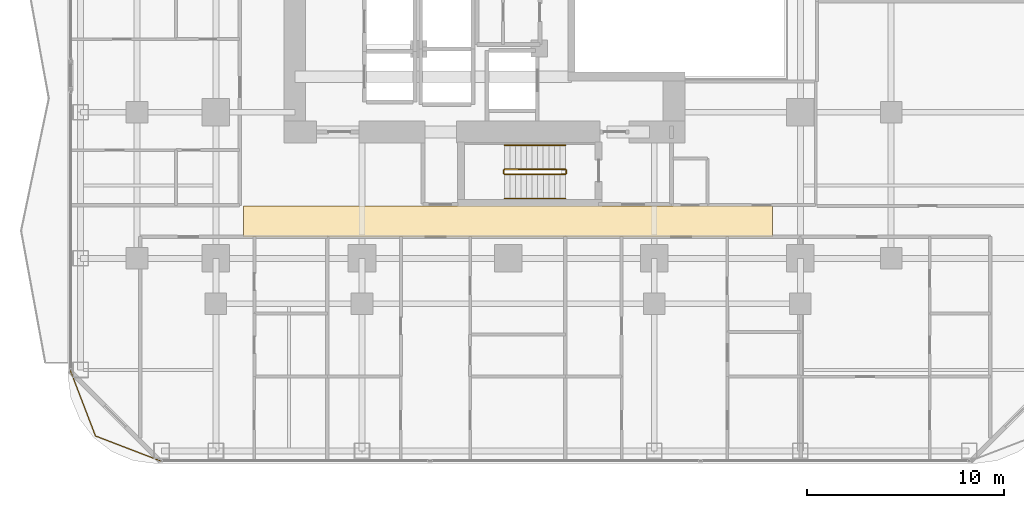
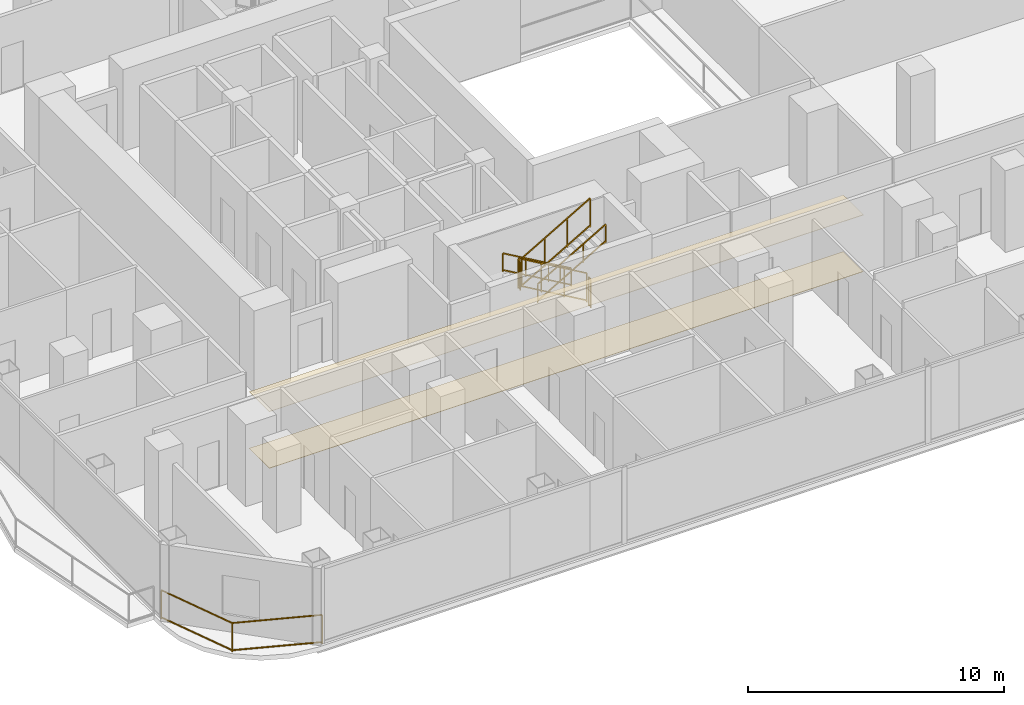
# One storey, part 26 of 28: 7 railings, 2 coverings.
"""IFC4 building model written with IfcOpenShell, lengths in metres."""

from ifc_helpers import new_model, si_unit, direction, frame, origin, origin_2d, place, context, subcontext, project, spatial, polyline, rectangle, outline, extrude, material, layer, layer_set, type_object, element, save


model = new_model("IFC4")

# Units and contexts
model_context = context("Model", 3, precision=1e-05, world=origin(), true_north=direction((0.0, 1.0)))
body_context = subcontext(model_context, "Body", "Model", "MODEL_VIEW")
ifc_project = project(units=[si_unit("LENGTHUNIT", "METRE"), si_unit("AREAUNIT", "SQUARE_METRE"), si_unit("VOLUMEUNIT", "CUBIC_METRE"), si_unit("PLANEANGLEUNIT", "RADIAN"), si_unit("MASSUNIT", "GRAM", prefix="KILO")], contexts=[model_context])

# Site, building, storey
site_placement = place(None, origin())
site = spatial("IfcSite", under=ifc_project, at=site_placement, CompositionType="ELEMENT")
building_placement = place(site_placement, origin())
building = spatial("IfcBuilding", under=site, at=building_placement, Name="Khorvyn Point Tower", CompositionType="ELEMENT")
storey_placement = place(building_placement, frame((0.0, 0.0, 34.5)))
storey = spatial("IfcBuildingStorey", under=building, at=storey_placement, Name="L09", CompositionType="ELEMENT", Elevation=34.5)

# Railing
ifc_material_1 = material(Name="Anodised aluminium 6063-T6 and laminated safety glass", Category="aluminium")
railing_type_1 = type_object("IfcRailingType", Name="Laminated Glass and Aluminium Balcony Guardrail 1400", PredefinedType="BALUSTRADE", material=ifc_material_1)
railing_1_placement = place(storey_placement, frame((-22.174072265625, -20.470703125, 0.0)))
element("IfcRailing", 1, at=railing_1_placement, inside=storey, type_object=railing_type_1, Name="L09 Rounded Corner Edge Guardrail SW", PredefinedType="BALUSTRADE", context=body_context, shape_type="SweptSolid", body=[
    extrude(rectangle(XDim=0.048095703125, YDim=0.048095703125, at=origin_2d()), frame((0.0, 0.0, 1.3759765625), z_axis=(0.358359142172, -0.933583807283, 0.0), x_axis=(0.933583807283, 0.358359142172, 0.0)), (0.0, 0.0, 1.0), 3.56298828125),
    extrude(rectangle(XDim=0.048095703125, YDim=0.048095703125, at=origin_2d()), frame((0.0, 0.0, 0.080078125), z_axis=(0.358359142172, -0.933583807283, 0.0), x_axis=(0.933583807283, 0.358359142172, 0.0)), (0.0, 0.0, 1.0), 3.56298828125),
    extrude(rectangle(XDim=0.048095703125, YDim=0.048095703125, at=origin_2d()), frame((1.27685546875, -3.326416015625, 1.3759765625), z_axis=(0.933583807283, -0.358359142172, 0.0), x_axis=(0.358359142172, 0.933583807283, 0.0)), (0.0, 0.0, 1.0), 3.56298828125),
    extrude(rectangle(XDim=0.048095703125, YDim=0.048095703125, at=origin_2d()), frame((1.27685546875, -3.326416015625, 0.080078125), z_axis=(0.933583807283, -0.358359142172, 0.0), x_axis=(0.358359142172, 0.933583807283, 0.0)), (0.0, 0.0, 1.0), 3.56298828125),
    extrude(rectangle(XDim=0.0419921875, YDim=0.0419921875, at=origin_2d()), origin(), (0.0, 0.0, 1.0), 1.351806640625),
    extrude(rectangle(XDim=0.0419921875, YDim=0.0419921875, at=origin_2d()), frame((1.27685546875, -3.326416015625, 0.0)), (0.0, 0.0, 1.0), 1.351806640625),
    extrude(rectangle(XDim=0.0419921875, YDim=0.0419921875, at=origin_2d()), frame((4.603271484375, -4.603271484375, 0.0)), (0.0, 0.0, 1.0), 1.351806640625),
])

# Coverings
ifc_material_2 = material(Name="Mineral-fibre acoustic ceiling board", Category="gypsum")
ifc_layer_1 = layer(ifc_material_2, 0.02001953125)
ifc_layer_set_1 = layer_set([ifc_layer_1], Name="Perforated Mineral-Fibre Acoustic Suspended Ceiling 20")
covering_type_1 = type_object("IfcCoveringType", Name="Perforated Mineral-Fibre Acoustic Suspended Ceiling 20", PredefinedType="CEILING", material=ifc_layer_set_1)
covering_1_placement = place(storey_placement, frame((0.0, 0.0, 2.699951171875)))
element("IfcCovering", 2, at=covering_1_placement, inside=storey, type_object=covering_type_1, Name="L09 South Corridor Acoustic Ceiling", PredefinedType="CEILING", context=body_context, shape_type="SweptSolid", body=[
    extrude(outline(polyline([(-13.39990234375, -13.7099609375), (13.39990234375, -13.7099609375), (13.39990234375, -12.139892578125), (-13.39990234375, -12.139892578125), (-13.39990234375, -13.7099609375)])), origin(), (0.0, 0.0, 1.0), 0.02001953125),
])
ifc_material_3 = material(Name="Vitrified porcelain terrazzo tile", Category="ceramic")
ifc_layer_2 = layer(ifc_material_3, 0.01806640625)
ifc_layer_set_2 = layer_set([ifc_layer_2], Name="Porcelain Terrazzo Corridor Floor Finish Tile 18")
covering_type_2 = type_object("IfcCoveringType", Name="Porcelain Terrazzo Corridor Floor Finish Tile 18", PredefinedType="FLOORING", material=ifc_layer_set_2)
covering_2_placement = place(storey_placement, origin())
element("IfcCovering", 3, at=covering_2_placement, inside=storey, type_object=covering_type_2, Name="L09 South Corridor Terrazzo Flooring", PredefinedType="FLOORING", context=body_context, shape_type="SweptSolid", body=[
    extrude(outline(polyline([(-13.39990234375, -13.7099609375), (13.39990234375, -13.7099609375), (13.39990234375, -12.139892578125), (-13.39990234375, -12.139892578125), (-13.39990234375, -13.7099609375)])), origin(), (0.0, 0.0, 1.0), 0.01806640625),
])

# Railings
ifc_material_4 = material(Name="Stainless steel 1.4301", Category="steel")
railing_type_2 = type_object("IfcRailingType", Name="Stainless Steel 304 Stair Pitch Handrail 900", PredefinedType="HANDRAIL", material=ifc_material_4)
railing_2_placement = place(storey_placement, frame((2.89990234375, -9.070068359375, 0.16259765625)))
element("IfcRailing", 4, at=railing_2_placement, inside=storey, type_object=railing_type_2, Name="L09 ST-01 stair handrail 1", PredefinedType="HANDRAIL", context=body_context, shape_type="SweptSolid", body=[
    extrude(rectangle(XDim=0.048095703125, YDim=0.048095703125, at=origin_2d()), frame((0.0, 0.0, 0.8759765625), z_axis=(-0.864903211148, 0.0, 0.501938676878), x_axis=(0.0, -1.0, 0.0)), (0.0, 0.0, 1.0), 3.560791015625),
    extrude(rectangle(XDim=0.048095703125, YDim=0.048095703125, at=origin_2d()), frame((0.0, 0.0, 0.080078125), z_axis=(-0.864903211148, 0.0, 0.501938676878), x_axis=(0.0, -1.0, 0.0)), (0.0, 0.0, 1.0), 3.560791015625),
    extrude(rectangle(XDim=0.0419921875, YDim=0.0419921875, at=origin_2d()), origin(), (0.0, 0.0, 1.0), 0.851806640625),
    extrude(rectangle(XDim=0.0419921875, YDim=0.0419921875, at=origin_2d()), frame((-1.026611328125, 0.0, 0.595703125)), (0.0, 0.0, 1.0), 0.851806640625),
    extrude(rectangle(XDim=0.0419921875, YDim=0.0419921875, at=origin_2d()), frame((-2.05322265625, 0.0, 1.191650390625)), (0.0, 0.0, 1.0), 0.851806640625),
    extrude(rectangle(XDim=0.0419921875, YDim=0.0419921875, at=origin_2d()), frame((-3.079833984375, 0.0, 1.787353515625)), (0.0, 0.0, 1.0), 0.851806640625),
])
railing_3_placement = place(storey_placement, frame((-0.179931640625, -11.77001953125, 2.112548828125)))
element("IfcRailing", 5, at=railing_3_placement, inside=storey, type_object=railing_type_2, Name="L09 ST-01 stair handrail 2", PredefinedType="HANDRAIL", context=body_context, shape_type="SweptSolid", body=[
    extrude(rectangle(XDim=0.048095703125, YDim=0.048095703125, at=origin_2d()), frame((0.0, 0.0, 0.8759765625), z_axis=(0.864903211148, 0.0, 0.501938676878), x_axis=(0.0, 1.0, 0.0)), (0.0, 0.0, 1.0), 3.560791015625),
    extrude(rectangle(XDim=0.048095703125, YDim=0.048095703125, at=origin_2d()), frame((0.0, 0.0, 0.080078125), z_axis=(0.864903211148, 0.0, 0.501938676878), x_axis=(0.0, 1.0, 0.0)), (0.0, 0.0, 1.0), 3.560791015625),
    extrude(rectangle(XDim=0.0419921875, YDim=0.0419921875, at=origin_2d()), origin(), (0.0, 0.0, 1.0), 0.851806640625),
    extrude(rectangle(XDim=0.0419921875, YDim=0.0419921875, at=origin_2d()), frame((1.026611328125, 0.0, 0.595703125)), (0.0, 0.0, 1.0), 0.851806640625),
    extrude(rectangle(XDim=0.0419921875, YDim=0.0419921875, at=origin_2d()), frame((2.05322265625, 0.0, 1.191650390625)), (0.0, 0.0, 1.0), 0.851806640625),
    extrude(rectangle(XDim=0.0419921875, YDim=0.0419921875, at=origin_2d()), frame((3.079833984375, 0.0, 1.787353515625)), (0.0, 0.0, 1.0), 0.851806640625),
])
railing_type_3 = type_object("IfcRailingType", Name="Stainless Steel 304 Stair Well Guardrail 1400", PredefinedType="GUARDRAIL", material=ifc_material_4)
railing_4_placement = place(storey_placement, frame((2.89990234375, -10.2900390625, 0.16259765625)))
element("IfcRailing", 6, at=railing_4_placement, inside=storey, type_object=railing_type_3, Name="L09 ST-01 stair guard 1", PredefinedType="GUARDRAIL", context=body_context, shape_type="SweptSolid", body=[
    extrude(rectangle(XDim=0.048095703125, YDim=0.048095703125, at=origin_2d()), frame((0.0, 0.0, 1.3759765625), z_axis=(-0.864903211148, 0.0, 0.501938676878), x_axis=(0.0, -1.0, 0.0)), (0.0, 0.0, 1.0), 3.560791015625),
    extrude(rectangle(XDim=0.048095703125, YDim=0.048095703125, at=origin_2d()), frame((0.0, 0.0, 0.080078125), z_axis=(-0.864903211148, 0.0, 0.501938676878), x_axis=(0.0, -1.0, 0.0)), (0.0, 0.0, 1.0), 3.560791015625),
    extrude(rectangle(XDim=0.0419921875, YDim=0.0419921875, at=origin_2d()), origin(), (0.0, 0.0, 1.0), 1.351806640625),
    extrude(rectangle(XDim=0.0419921875, YDim=0.0419921875, at=origin_2d()), frame((-1.026611328125, 0.0, 0.595703125)), (0.0, 0.0, 1.0), 1.351806640625),
    extrude(rectangle(XDim=0.0419921875, YDim=0.0419921875, at=origin_2d()), frame((-2.05322265625, 0.0, 1.191650390625)), (0.0, 0.0, 1.0), 1.351806640625),
    extrude(rectangle(XDim=0.0419921875, YDim=0.0419921875, at=origin_2d()), frame((-3.079833984375, 0.0, 1.787353515625)), (0.0, 0.0, 1.0), 1.351806640625),
])
railing_5_placement = place(storey_placement, frame((-0.22998046875, -10.340087890625, 1.949951171875)))
element("IfcRailing", 7, at=railing_5_placement, inside=storey, type_object=railing_type_3, Name="L09 ST-01 stair guard 2", PredefinedType="GUARDRAIL", context=body_context, shape_type="SweptSolid", body=[
    extrude(rectangle(XDim=0.048095703125, YDim=0.048095703125, at=origin_2d()), frame((0.0, 0.0, 1.3759765625), z_axis=(0.0, -1.0, 0.0), x_axis=(1.0, 0.0, 0.0)), (0.0, 0.0, 1.0), 0.159912109375),
    extrude(rectangle(XDim=0.048095703125, YDim=0.048095703125, at=origin_2d()), frame((0.0, 0.0, 0.080078125), z_axis=(0.0, -1.0, 0.0), x_axis=(1.0, 0.0, 0.0)), (0.0, 0.0, 1.0), 0.159912109375),
    extrude(rectangle(XDim=0.0419921875, YDim=0.0419921875, at=origin_2d()), origin(), (0.0, 0.0, 1.0), 1.351806640625),
    extrude(rectangle(XDim=0.0419921875, YDim=0.0419921875, at=origin_2d()), frame((0.0, -0.159912109375, 0.0)), (0.0, 0.0, 1.0), 1.351806640625),
])
railing_6_placement = place(storey_placement, frame((-0.179931640625, -10.550048828125, 2.112548828125)))
element("IfcRailing", 8, at=railing_6_placement, inside=storey, type_object=railing_type_3, Name="L09 ST-01 stair guard 3", PredefinedType="GUARDRAIL", context=body_context, shape_type="SweptSolid", body=[
    extrude(rectangle(XDim=0.048095703125, YDim=0.048095703125, at=origin_2d()), frame((0.0, 0.0, 1.3759765625), z_axis=(0.864903211148, 0.0, 0.501938676878), x_axis=(0.0, 1.0, 0.0)), (0.0, 0.0, 1.0), 3.560791015625),
    extrude(rectangle(XDim=0.048095703125, YDim=0.048095703125, at=origin_2d()), frame((0.0, 0.0, 0.080078125), z_axis=(0.864903211148, 0.0, 0.501938676878), x_axis=(0.0, 1.0, 0.0)), (0.0, 0.0, 1.0), 3.560791015625),
    extrude(rectangle(XDim=0.0419921875, YDim=0.0419921875, at=origin_2d()), origin(), (0.0, 0.0, 1.0), 1.351806640625),
    extrude(rectangle(XDim=0.0419921875, YDim=0.0419921875, at=origin_2d()), frame((1.026611328125, 0.0, 0.595703125)), (0.0, 0.0, 1.0), 1.351806640625),
    extrude(rectangle(XDim=0.0419921875, YDim=0.0419921875, at=origin_2d()), frame((2.05322265625, 0.0, 1.191650390625)), (0.0, 0.0, 1.0), 1.351806640625),
    extrude(rectangle(XDim=0.0419921875, YDim=0.0419921875, at=origin_2d()), frame((3.079833984375, 0.0, 1.787353515625)), (0.0, 0.0, 1.0), 1.351806640625),
])
railing_7_placement = place(storey_placement, frame((2.949951171875, -10.340087890625, 0.0)))
element("IfcRailing", 9, at=railing_7_placement, inside=storey, type_object=railing_type_3, Name="L09 ST-01 stair guard 4", PredefinedType="GUARDRAIL", context=body_context, shape_type="SweptSolid", body=[
    extrude(rectangle(XDim=0.048095703125, YDim=0.048095703125, at=origin_2d()), frame((0.0, 0.0, 1.3759765625), z_axis=(0.0, -1.0, 0.0), x_axis=(1.0, 0.0, 0.0)), (0.0, 0.0, 1.0), 0.159912109375),
    extrude(rectangle(XDim=0.048095703125, YDim=0.048095703125, at=origin_2d()), frame((0.0, 0.0, 0.080078125), z_axis=(0.0, -1.0, 0.0), x_axis=(1.0, 0.0, 0.0)), (0.0, 0.0, 1.0), 0.159912109375),
    extrude(rectangle(XDim=0.0419921875, YDim=0.0419921875, at=origin_2d()), origin(), (0.0, 0.0, 1.0), 1.351806640625),
    extrude(rectangle(XDim=0.0419921875, YDim=0.0419921875, at=origin_2d()), frame((0.0, -0.159912109375, 0.0)), (0.0, 0.0, 1.0), 1.351806640625),
])

save(model, "model.ifc")
